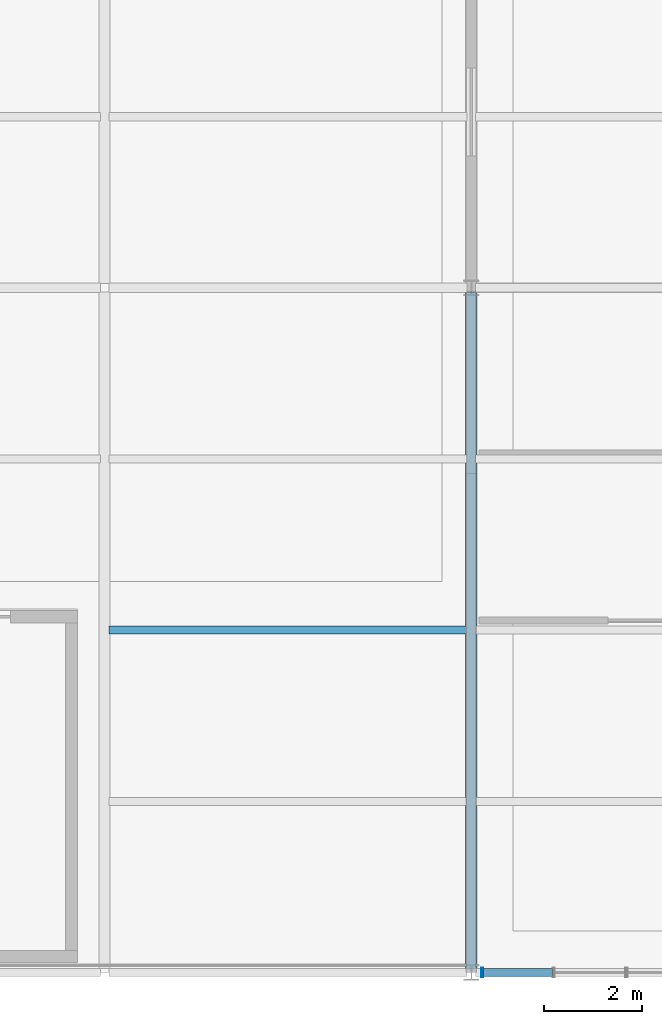
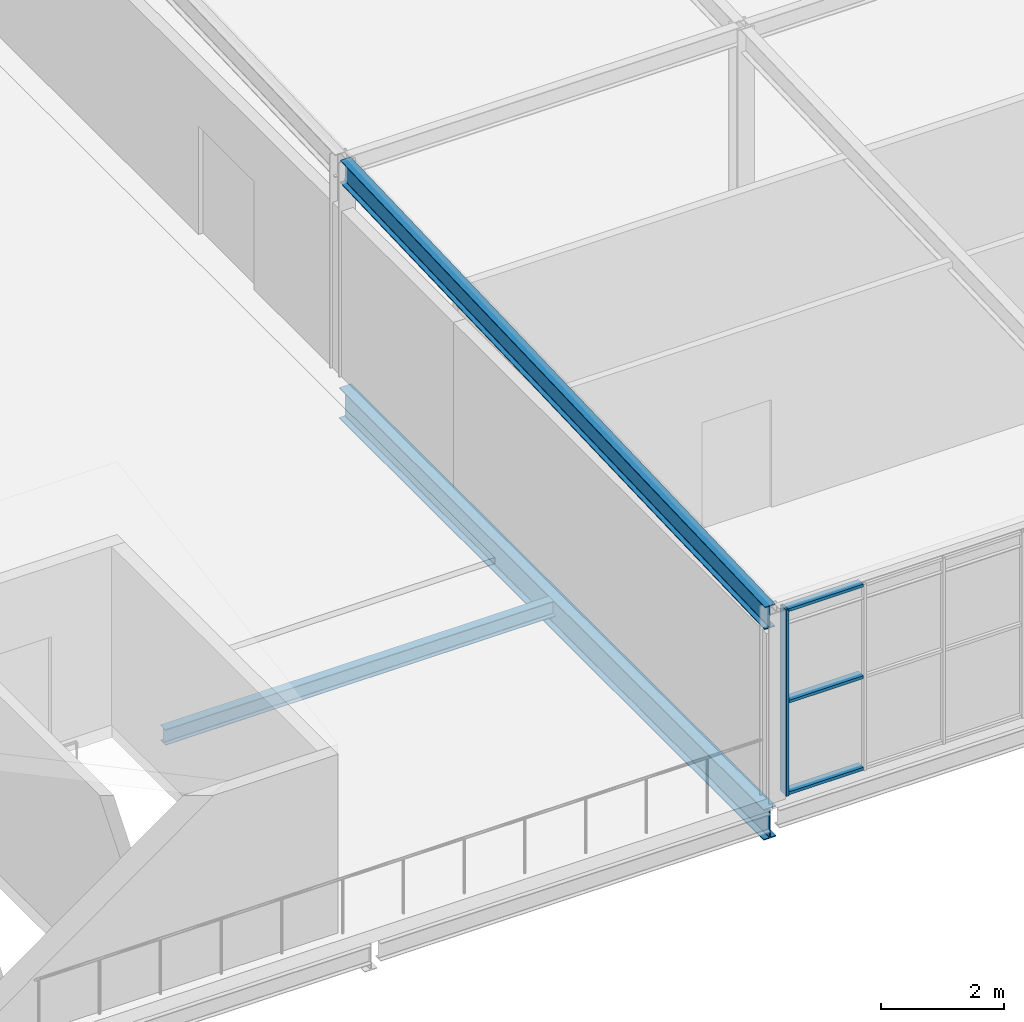
# One storey, part 4 of 27: 4 members, 3 beams, 1 element without a shape of its own.
"""IFC4 building model written with IfcOpenShell, lengths in metres."""

from ifc_helpers import new_model, si_unit, direction, frame, origin, origin_2d, place, context, subcontext, project, spatial, hollow_rectangle, i_section, extrude, material, layer, layer_set, material_profile, profile_set, type_object, element, aggregate, save


model = new_model("IFC4")

# Units and contexts
model_context = context("Model", 3, precision=1e-05, world=origin(), true_north=direction((0.0, 1.0)))
body_context = subcontext(model_context, "Body", "Model", "MODEL_VIEW")
ifc_project = project(units=[si_unit("LENGTHUNIT", "METRE"), si_unit("AREAUNIT", "SQUARE_METRE"), si_unit("VOLUMEUNIT", "CUBIC_METRE"), si_unit("PLANEANGLEUNIT", "RADIAN"), si_unit("MASSUNIT", "GRAM", prefix="KILO")], contexts=[model_context])

# Site, building, storey
site_placement = place(None, origin())
site = spatial("IfcSite", under=ifc_project, at=site_placement, CompositionType="ELEMENT")
building_placement = place(site_placement, origin())
building = spatial("IfcBuilding", under=site, at=building_placement, Name="Solvenia Promenade Tram Depot", CompositionType="ELEMENT")
storey_placement = place(building_placement, frame((0.0, 0.0, 13.5)))
storey = spatial("IfcBuildingStorey", under=building, at=storey_placement, Name="L03", CompositionType="ELEMENT", Elevation=13.5)

# Beam
ifc_material_1 = material(Name="Structural steel ASTM A992 Gr. 50", Category="steel")
ifc_material_profile_1 = material_profile(ifc_material_1, i_section(OverallWidth=0.19091796875, OverallDepth=0.4599609375, WebThickness=0.010009765625, FlangeThickness=0.01611328125, FilletRadius=0.012939453125, at=origin_2d()), Name="W460x82", Category="steel")
ifc_profile_set_1 = profile_set([ifc_material_profile_1], Name="Structural steel ASTM A992 Gr. 50")
beam_type_1 = type_object("IfcBeamType", Name="Beam-W460x82", PredefinedType="BEAM", material=ifc_profile_set_1)
beam_1_placement = place(storey_placement, frame((120.0, 38.0849609375, 3.530029296875), z_axis=(0.0, 0.999347117137, 0.036129481992), x_axis=(-1.0, 0.0, 0.0)))
element("IfcBeam", 1, at=beam_1_placement, inside=storey, type_object=beam_type_1, Name="Control Hub Sloped Rafter BM-L03-0879", PredefinedType="BEAM", context=body_context, shape_type="SweptSolid", body=[
    extrude(i_section(OverallWidth=0.19091796875, OverallDepth=0.4599609375, WebThickness=0.010009765625, FlangeThickness=0.01611328125, FilletRadius=0.012939453125, at=origin_2d()), origin(), (0.0, 0.0, 1.0), 13.839111328125),
])

# Curtain wall, members
ifc_material_2 = material(Name="Anodized aluminium AW-6063 T6", Category="aluminium")
ifc_layer = layer(ifc_material_2, 0.199951171875, Name="Anodized aluminium AW-6063 T6", Category="aluminium")
ifc_layer_set = layer_set([ifc_layer], Name="Anodized aluminium AW-6063 T6")
curtain_wall_type = type_object("IfcCurtainWallType", Name="CW-OCC-1500", PredefinedType="NOTDEFINED", material=ifc_layer_set)
curtain_wall_placement = place(storey_placement, origin())
curtain_wall = element("IfcCurtainWall", 2, at=curtain_wall_placement, inside=storey, type_object=curtain_wall_type, Name="Curtain Wall CW-L03-V2S", PredefinedType="NOTDEFINED")
ifc_material_profile_2 = material_profile(ifc_material_2, hollow_rectangle(XDim=0.199951171875, YDim=0.048095703125, WallThickness=0.00390625, at=origin_2d()), Name="ALU-M3", Category="aluminium")
ifc_profile_set_2 = profile_set([ifc_material_profile_2], Name="Anodized aluminium AW-6063 T6")
member_type_1 = type_object("IfcMemberType", Name="CWM-Mullion-3", PredefinedType="MULLION", material=ifc_profile_set_2)
member_1_placement = place(storey_placement, frame((120.22412109375, 38.0, 0.0), z_axis=(0.0, 0.0, 1.0), x_axis=(0.0, 1.0, 0.0)))
member_1 = element("IfcMember", 3, at=member_1_placement, type_object=member_type_1, Name="CW-8 mullion 1", PredefinedType="MULLION", context=body_context, shape_type="SweptSolid", body=[
    extrude(hollow_rectangle(XDim=0.199951171875, YDim=0.048095703125, WallThickness=0.00390625, at=origin_2d()), origin(), (0.0, 0.0, 1.0), 3.699951171875),
])
ifc_material_profile_3 = material_profile(ifc_material_2, hollow_rectangle(XDim=0.159912109375, YDim=0.05810546875, WallThickness=0.00390625, at=origin_2d()), Name="ALU-T3", Category="aluminium")
ifc_profile_set_3 = profile_set([ifc_material_profile_3], Name="Anodized aluminium AW-6063 T6")
member_type_2 = type_object("IfcMemberType", Name="CWT-Transom-3", PredefinedType="USERDEFINED", material=ifc_profile_set_3)
member_2_placement = place(storey_placement, frame((120.248046875, 38.0, 0.029052734375), z_axis=(1.0, 0.0, 0.0), x_axis=(0.0, 1.0, 0.0)))
member_2 = element("IfcMember", 4, at=member_2_placement, type_object=member_type_2, Name="CW-8 transom 1.1", ObjectType="TRANSOM", PredefinedType="USERDEFINED", context=body_context, shape_type="SweptSolid", body=[
    extrude(hollow_rectangle(XDim=0.159912109375, YDim=0.05810546875, WallThickness=0.00390625, at=origin_2d()), origin(), (0.0, 0.0, 1.0), 1.41357421875),
])
member_3_placement = place(storey_placement, frame((120.248046875, 38.0, 1.85009765625), z_axis=(1.0, 0.0, 0.0), x_axis=(0.0, 1.0, 0.0)))
member_3 = element("IfcMember", 5, at=member_3_placement, type_object=member_type_2, Name="CW-8 transom 1.2", ObjectType="TRANSOM", PredefinedType="USERDEFINED", context=body_context, shape_type="SweptSolid", body=[
    extrude(hollow_rectangle(XDim=0.159912109375, YDim=0.05810546875, WallThickness=0.00390625, at=origin_2d()), origin(), (0.0, 0.0, 1.0), 1.41357421875),
])
member_4_placement = place(storey_placement, frame((120.248046875, 38.0, 3.6708984375), z_axis=(1.0, 0.0, 0.0), x_axis=(0.0, 1.0, 0.0)))
member_4 = element("IfcMember", 6, at=member_4_placement, type_object=member_type_2, Name="CW-8 transom 1.3", ObjectType="TRANSOM", PredefinedType="USERDEFINED", context=body_context, shape_type="SweptSolid", body=[
    extrude(hollow_rectangle(XDim=0.159912109375, YDim=0.05810546875, WallThickness=0.00390625, at=origin_2d()), origin(), (0.0, 0.0, 1.0), 1.41357421875),
])
aggregate(curtain_wall, [member_1, member_2, member_3, member_4])

# Beams
ifc_material_profile_4 = material_profile(ifc_material_1, i_section(OverallWidth=0.22900390625, OverallDepth=0.612060546875, WebThickness=0.011962890625, FlangeThickness=0.01953125, FilletRadius=0.014892578125, at=origin_2d()), Name="W610x125", Category="steel")
ifc_profile_set_4 = profile_set([ifc_material_profile_4], Name="Structural steel ASTM A992 Gr. 50")
beam_type_2 = type_object("IfcBeamType", Name="Gird-W610x125", PredefinedType="BEAM", material=ifc_profile_set_4)
beam_2_placement = place(storey_placement, frame((120.0, 38.0849609375, -0.56591796875), z_axis=(0.0, 1.0, 0.0), x_axis=(-1.0, 0.0, 0.0)))
element("IfcBeam", 7, at=beam_2_placement, inside=storey, type_object=beam_type_2, Name="Transverse Girder BM-L03-0610", PredefinedType="BEAM", context=body_context, shape_type="SweptSolid", body=[
    extrude(i_section(OverallWidth=0.22900390625, OverallDepth=0.612060546875, WebThickness=0.011962890625, FlangeThickness=0.01953125, FilletRadius=0.014892578125, at=origin_2d()), origin(), (0.0, 0.0, 1.0), 13.830078125),
])
ifc_material_profile_5 = material_profile(ifc_material_1, i_section(OverallWidth=0.166015625, OverallDepth=0.31298828125, WebThickness=0.006591796875, FlangeThickness=0.01123046875, FilletRadius=0.010009765625, at=origin_2d()), Name="W310x45", Category="steel")
ifc_profile_set_5 = profile_set([ifc_material_profile_5], Name="Structural steel ASTM A992 Gr. 50")
beam_type_3 = type_object("IfcBeamType", Name="Joist-W310x45", PredefinedType="JOIST", material=ifc_profile_set_5)
beam_3_placement = place(storey_placement, frame((112.5849609375, 45.0, -0.41650390625), z_axis=(1.0, 0.0, 0.0), x_axis=(0.0, 1.0, 0.0)))
element("IfcBeam", 8, at=beam_3_placement, inside=storey, type_object=beam_type_3, Name="Secondary Floor Joist BM-L03-0838", PredefinedType="JOIST", context=body_context, shape_type="SweptSolid", body=[
    extrude(i_section(OverallWidth=0.166015625, OverallDepth=0.31298828125, WebThickness=0.006591796875, FlangeThickness=0.01123046875, FilletRadius=0.010009765625, at=origin_2d()), origin(), (0.0, 0.0, 1.0), 7.330078125),
])

save(model, "model.ifc")
